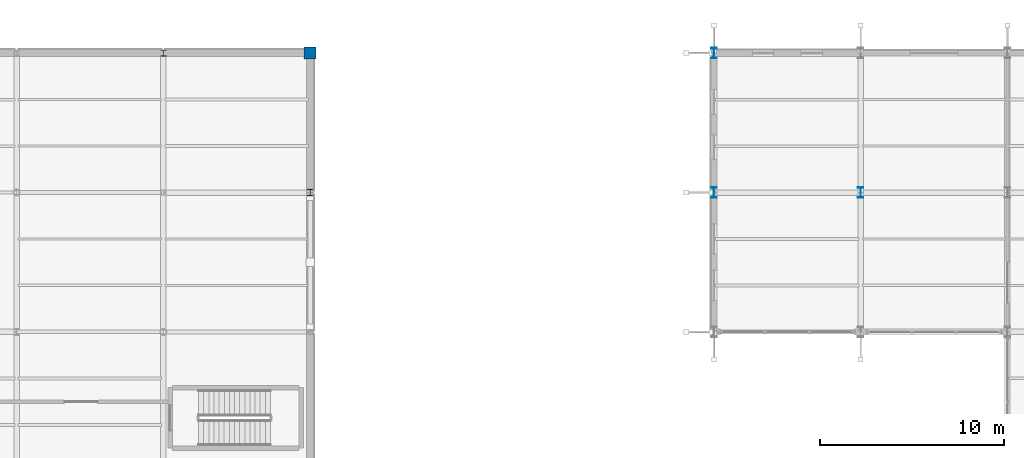
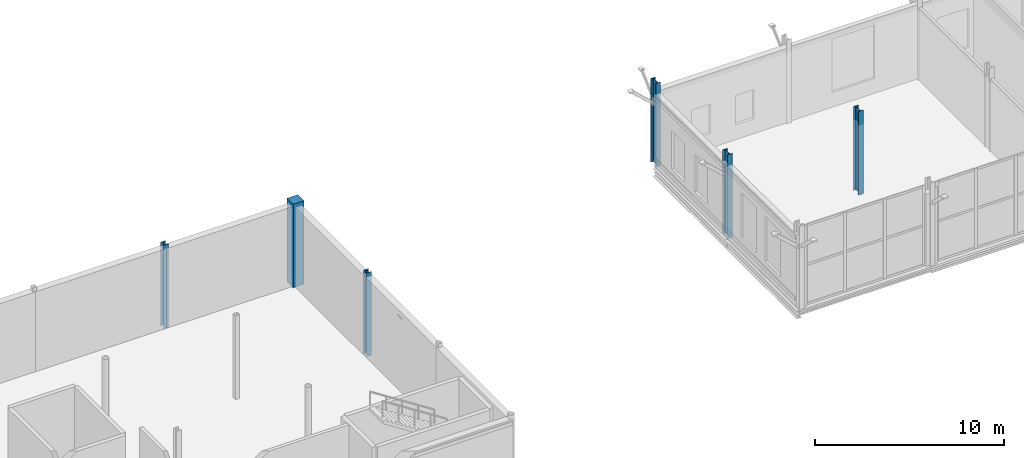
# One storey, part 22 of 147: 6 columns.
"""IFC4 building model written with IfcOpenShell, lengths in metres."""

from ifc_helpers import new_model, si_unit, direction, frame, origin, origin_2d, place, context, subcontext, project, spatial, rectangle, i_section, extrude, material, material_profile, profile_set, type_object, element, save


model = new_model("IFC4")

# Units and contexts
model_context = context("Model", 3, precision=1e-05, world=origin(), true_north=direction((0.0, 1.0)))
body_context = subcontext(model_context, "Body", "Model", "MODEL_VIEW")
ifc_project = project(units=[si_unit("LENGTHUNIT", "METRE"), si_unit("AREAUNIT", "SQUARE_METRE"), si_unit("VOLUMEUNIT", "CUBIC_METRE"), si_unit("PLANEANGLEUNIT", "RADIAN"), si_unit("MASSUNIT", "GRAM", prefix="KILO")], contexts=[model_context])

# Site, building, storey
site_placement = place(None, origin())
site = spatial("IfcSite", under=ifc_project, at=site_placement, CompositionType="ELEMENT")
building_placement = place(site_placement, origin())
building = spatial("IfcBuilding", under=site, at=building_placement, Name="Vekula Escarpment Museum", CompositionType="ELEMENT")
storey_placement = place(building_placement, frame((0.0, 0.0, 7.800048828125)))
storey = spatial("IfcBuildingStorey", under=building, at=storey_placement, Name="L02", CompositionType="ELEMENT", Elevation=7.800048828125)

# Columns
ifc_material_1 = material(Name="Steel S355", Category="steel")
ifc_material_profile_1 = material_profile(ifc_material_1, i_section(OverallWidth=0.300048828125, OverallDepth=0.330078125, WebThickness=0.009521484375, FlangeThickness=0.0166015625, FilletRadius=0.027099609375, at=origin_2d()), Name="HEA 340")
ifc_profile_set_1 = profile_set([ifc_material_profile_1], Name="Steel S355")
column_type_1 = type_object("IfcColumnType", Name="COL-S-HEA340", PredefinedType="COLUMN", material=ifc_profile_set_1)
for number, where, z_axis, x_axis, name in (
    (1, (48.0, 136.0, 0.0), (0.0, 0.0, 1.0), (1.0, 0.0, 0.0), "Column L02 (48.0,136.0)"),
    (2, (56.0, 128.39990234375, 0.0), (0.0, 0.0, 1.0), (1.0, 0.0, 0.0), "Column L02 (56.0,128.4)"),
):
    element("IfcColumn", number, at=place(storey_placement, frame(where, z_axis=z_axis, x_axis=x_axis)), inside=storey, type_object=column_type_1, Name=name, PredefinedType="COLUMN", context=body_context, shape_type="SweptSolid", body=[
        extrude(i_section(OverallWidth=0.300048828125, OverallDepth=0.330078125, WebThickness=0.009521484375, FlangeThickness=0.0166015625, FilletRadius=0.027099609375, at=origin_2d()), origin(), (0.0, 0.0, 1.0), 5.39990234375),
    ])
ifc_material_2 = material(Name="Steel S355", Category="steel")
ifc_material_profile_2 = material_profile(ifc_material_2, i_section(OverallWidth=0.300048828125, OverallDepth=0.550048828125, WebThickness=0.014892578125, FlangeThickness=0.029052734375, FilletRadius=0.027099609375, at=origin_2d()), Name="HEB 550")
ifc_profile_set_2 = profile_set([ifc_material_profile_2], Name="Steel S355")
column_type_2 = type_object("IfcColumnType", Name="COL-S-HEB550", PredefinedType="COLUMN", material=ifc_profile_set_2)
for number, where, z_axis, x_axis, name in (
    (3, (78.0, 128.39990234375, 0.0), (0.0, 0.0, 1.0), (1.0, 0.0, 0.0), "Column L02 (78.0,128.4)"),
    (4, (78.0, 136.0, 0.0), (0.0, 0.0, 1.0), (1.0, 0.0, 0.0), "Column L02 (78.0,136.0)"),
    (5, (86.0, 128.39990234375, 0.0), (0.0, 0.0, 1.0), (1.0, 0.0, 0.0), "Column L02 (86.0,128.4)"),
):
    element("IfcColumn", number, at=place(storey_placement, frame(where, z_axis=z_axis, x_axis=x_axis)), inside=storey, type_object=column_type_2, Name=name, PredefinedType="COLUMN", context=body_context, shape_type="SweptSolid", body=[
        extrude(i_section(OverallWidth=0.300048828125, OverallDepth=0.550048828125, WebThickness=0.014892578125, FlangeThickness=0.029052734375, FilletRadius=0.027099609375, at=origin_2d()), origin(), (0.0, 0.0, 1.0), 5.39990234375),
    ])
ifc_material_3 = material(Name="Inkisi arkosic sandstone masonry", Category="masonry")
ifc_material_profile_3 = material_profile(ifc_material_3, rectangle(XDim=0.64990234375, YDim=0.64990234375, at=origin_2d()), Name="PIER 650x650")
ifc_profile_set_3 = profile_set([ifc_material_profile_3], Name="Inkisi arkosic sandstone masonry")
column_type_3 = type_object("IfcColumnType", Name="PIL-ALM-650", PredefinedType="PILASTER", material=ifc_profile_set_3)
column_placement = place(storey_placement, frame((56.0, 136.0, 0.0), z_axis=(0.0, 0.0, 1.0), x_axis=(1.0, 0.0, 0.0)))
element("IfcColumn", 6, at=column_placement, inside=storey, type_object=column_type_3, Name="Column L02 (56.0,136.0)", PredefinedType="PILASTER", context=body_context, shape_type="SweptSolid", body=[
    extrude(rectangle(XDim=0.64990234375, YDim=0.64990234375, at=origin_2d()), origin(), (0.0, 0.0, 1.0), 5.39990234375),
])

save(model, "model.ifc")
